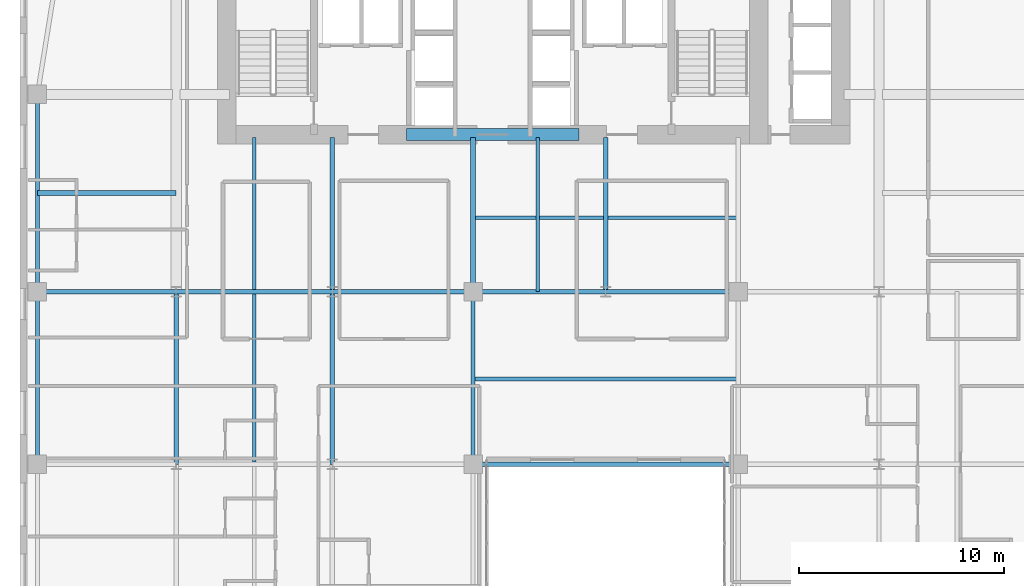
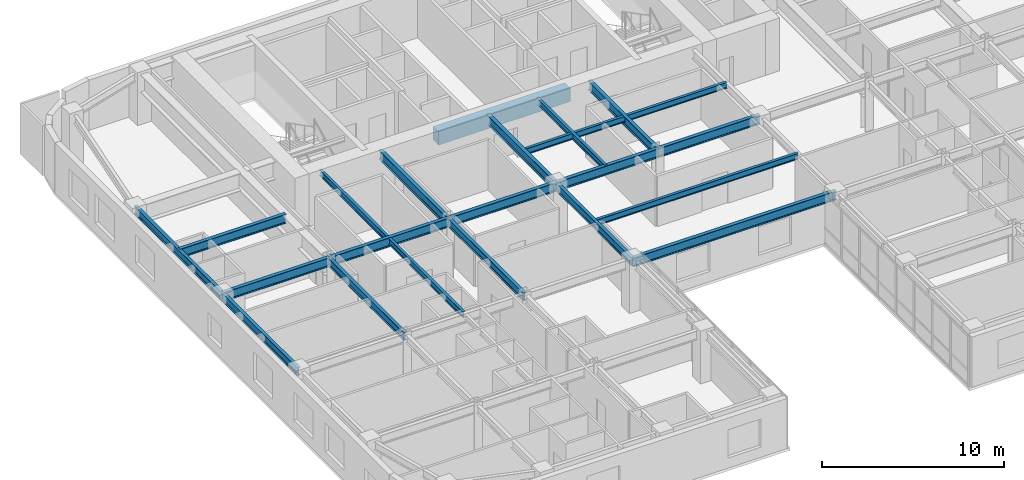
# One storey, part 4 of 16: 21 beams.
"""IFC4 building model written with IfcOpenShell, lengths in metres."""

from ifc_helpers import new_model, si_unit, direction, frame, origin, origin_2d, place, context, subcontext, project, spatial, rectangle, i_section, extrude, source, transform, mapped, material, material_profile, profile_set, type_object, type_shapes, element, save


model = new_model("IFC4")

# Units and contexts
model_context = context("Model", 3, precision=1e-05, world=origin(), true_north=direction((0.0, 1.0)))
body_context = subcontext(model_context, "Body", "Model", "MODEL_VIEW")
ifc_project = project(units=[si_unit("LENGTHUNIT", "METRE"), si_unit("AREAUNIT", "SQUARE_METRE"), si_unit("VOLUMEUNIT", "CUBIC_METRE"), si_unit("PLANEANGLEUNIT", "RADIAN"), si_unit("MASSUNIT", "GRAM", prefix="KILO")], contexts=[model_context])

# Site, building, storey
site_placement = place(None, origin())
site = spatial("IfcSite", under=ifc_project, at=site_placement, CompositionType="ELEMENT")
building_placement = place(site_placement, origin())
building = spatial("IfcBuilding", under=site, at=building_placement, Name="Tolvann Quenvar Hotel", CompositionType="ELEMENT")
storey_placement = place(building_placement, frame((0.0, 0.0, 85.25)))
storey = spatial("IfcBuildingStorey", under=building, at=storey_placement, Name="L21", CompositionType="ELEMENT", Elevation=85.25)

# Beams
ifc_material_1 = material(Name="Concrete N50 (50 MPa)", Category="concrete")
ifc_material_profile_1 = material_profile(ifc_material_1, rectangle(XDim=0.60009765625, YDim=0.89990234375, at=origin_2d()), Name="RC600x900")
ifc_profile_set_1 = profile_set([ifc_material_profile_1], Name="Concrete N50 (50 MPa)")
beam_type_1 = type_object("IfcBeamType", Name="BM_LINT_RC600x900", PredefinedType="LINTEL", material=ifc_profile_set_1)
shared_shape_1 = source(origin(), body_context, "Body", "SweptSolid", [
    extrude(rectangle(XDim=0.60009765625, YDim=0.89990234375, at=origin_2d()), origin(), (0.0, 0.0, 1.0), 8.39990234375),
])
type_shapes(beam_type_1, [shared_shape_1])
beam_1_placement = place(storey_placement, frame((18.800048828125, 32.050048828125, 2.919921875), z_axis=(1.0, 0.0, 0.0), x_axis=(0.0, 1.0, 0.0)))
element("IfcBeam", 1, at=beam_1_placement, inside=storey, type_object=beam_type_1, Name="Core Coupling Lintel Beam (L21)", PredefinedType="LINTEL", context=body_context, shape_type="MappedRepresentation", body=[
    mapped(shared_shape_1, transform((0.0, 0.0, 0.0), x_axis=(1.0, 0.0, 0.0), y_axis=(0.0, 1.0, 0.0), z_axis=(0.0, 0.0, 1.0), scale=1.0)),
])
ifc_material_2 = material(Name="Steel Grade 350", Category="steel")
ifc_material_profile_2 = material_profile(ifc_material_2, i_section(OverallWidth=0.22900390625, OverallDepth=0.612060546875, WebThickness=0.011962890625, FlangeThickness=0.01953125, FilletRadius=0.013916015625, at=origin_2d()), Name="610UB125")
ifc_profile_set_2 = profile_set([ifc_material_profile_2], Name="Steel Grade 350")
beam_type_2 = type_object("IfcBeamType", Name="BM_GIRD_610UB125", PredefinedType="BEAM", material=ifc_profile_set_2)
shared_shape_2 = source(origin(), body_context, "Body", "SweptSolid", [
    extrude(i_section(OverallWidth=0.22900390625, OverallDepth=0.612060546875, WebThickness=0.011962890625, FlangeThickness=0.01953125, FilletRadius=0.013916015625, at=origin_2d()), origin(), (0.0, 0.0, 1.0), 6.75),
])
for number, where, z_axis, x_axis, name in (
    (2, (0.85009765625, 24.39990234375, 3.06396484375), (1.0, 0.0, 0.0), (0.0, 1.0, 0.0), "BM-L21-EW-5-B5-C5"),
    (3, (0.85009765625, 29.199951171875, 3.06396484375), (1.0, 0.0, 0.0), (0.0, 1.0, 0.0), "BM-L21-EW-BC29"),
):
    element("IfcBeam", number, at=place(storey_placement, frame(where, z_axis=z_axis, x_axis=x_axis)), inside=storey, type_object=beam_type_2, Name=name, PredefinedType="BEAM", context=body_context, shape_type="MappedRepresentation", body=[
        mapped(shared_shape_2, transform((0.0, 0.0, 0.0), x_axis=(1.0, 0.0, 0.0), y_axis=(0.0, 1.0, 0.0), z_axis=(0.0, 0.0, 1.0), scale=1.0)),
    ])
shared_shape_3 = source(origin(), body_context, "Body", "SweptSolid", [
    extrude(i_section(OverallWidth=0.22900390625, OverallDepth=0.612060546875, WebThickness=0.011962890625, FlangeThickness=0.01953125, FilletRadius=0.013916015625, at=origin_2d()), origin(), (0.0, 0.0, 1.0), 7.599853515625),
])
beam_2_placement = place(storey_placement, frame((7.60009765625, 24.39990234375, 3.06396484375), z_axis=(1.0, 0.0, 0.0), x_axis=(0.0, 1.0, 0.0)))
element("IfcBeam", 4, at=beam_2_placement, inside=storey, type_object=beam_type_2, Name="BM-L21-EW-5-C5-D5", PredefinedType="BEAM", context=body_context, shape_type="MappedRepresentation", body=[
    mapped(shared_shape_3, transform((0.0, 0.0, 0.0), x_axis=(1.0, 0.0, 0.0), y_axis=(0.0, 1.0, 0.0), z_axis=(0.0, 0.0, 1.0), scale=1.0)),
])
shared_shape_4 = source(origin(), body_context, "Body", "SweptSolid", [
    extrude(i_section(OverallWidth=0.22900390625, OverallDepth=0.612060546875, WebThickness=0.011962890625, FlangeThickness=0.01953125, FilletRadius=0.013916015625, at=origin_2d()), origin(), (0.0, 0.0, 1.0), 6.85009765625),
])
beam_3_placement = place(storey_placement, frame((15.199951171875, 24.39990234375, 3.06396484375), z_axis=(1.0, 0.0, 0.0), x_axis=(0.0, 1.0, 0.0)))
element("IfcBeam", 5, at=beam_3_placement, inside=storey, type_object=beam_type_2, Name="BM-L21-EW-5-D5-E5", PredefinedType="BEAM", context=body_context, shape_type="MappedRepresentation", body=[
    mapped(shared_shape_4, transform((0.0, 0.0, 0.0), x_axis=(1.0, 0.0, 0.0), y_axis=(0.0, 1.0, 0.0), z_axis=(0.0, 0.0, 1.0), scale=1.0)),
])
shared_shape_5 = source(origin(), body_context, "Body", "SweptSolid", [
    extrude(i_section(OverallWidth=0.22900390625, OverallDepth=0.612060546875, WebThickness=0.011962890625, FlangeThickness=0.01953125, FilletRadius=0.013916015625, at=origin_2d()), origin(), (0.0, 0.0, 1.0), 12.89990234375),
])
beam_4_placement = place(storey_placement, frame((22.050048828125, 16.0, 3.06396484375), z_axis=(1.0, 0.0, 0.0), x_axis=(0.0, 1.0, 0.0)))
element("IfcBeam", 6, at=beam_4_placement, inside=storey, type_object=beam_type_2, Name="BM-L21-EW-4-E4-F4", PredefinedType="BEAM", context=body_context, shape_type="MappedRepresentation", body=[
    mapped(shared_shape_5, transform((0.0, 0.0, 0.0), x_axis=(1.0, 0.0, 0.0), y_axis=(0.0, 1.0, 0.0), z_axis=(0.0, 0.0, 1.0), scale=1.0)),
])
shared_shape_6 = source(origin(), body_context, "Body", "SweptSolid", [
    extrude(i_section(OverallWidth=0.22900390625, OverallDepth=0.612060546875, WebThickness=0.011962890625, FlangeThickness=0.01953125, FilletRadius=0.013916015625, at=origin_2d()), origin(), (0.0, 0.0, 1.0), 6.449951171875),
])
for number, where, z_axis, x_axis, name in (
    (7, (22.050048828125, 24.39990234375, 3.06396484375), (1.0, 0.0, 0.0), (0.0, 1.0, 0.0), "BM-L21-EW-5-E5-M5"),
    (8, (28.5, 24.39990234375, 3.06396484375), (1.0, 0.0, 0.0), (0.0, 1.0, 0.0), "BM-L21-EW-5-M5-F5"),
):
    element("IfcBeam", number, at=place(storey_placement, frame(where, z_axis=z_axis, x_axis=x_axis)), inside=storey, type_object=beam_type_2, Name=name, PredefinedType="BEAM", context=body_context, shape_type="MappedRepresentation", body=[
        mapped(shared_shape_6, transform((0.0, 0.0, 0.0), x_axis=(1.0, 0.0, 0.0), y_axis=(0.0, 1.0, 0.0), z_axis=(0.0, 0.0, 1.0), scale=1.0)),
    ])
ifc_material_profile_3 = material_profile(ifc_material_2, i_section(OverallWidth=0.208984375, OverallDepth=0.528076171875, WebThickness=0.009521484375, FlangeThickness=0.01318359375, FilletRadius=0.013916015625, at=origin_2d()), Name="530UB82")
ifc_profile_set_3 = profile_set([ifc_material_profile_3], Name="Steel Grade 350")
beam_type_3 = type_object("IfcBeamType", Name="BM_SPAND_530UB82", PredefinedType="SPANDREL", material=ifc_profile_set_3)
shared_shape_7 = source(origin(), body_context, "Body", "SweptSolid", [
    extrude(i_section(OverallWidth=0.208984375, OverallDepth=0.528076171875, WebThickness=0.009521484375, FlangeThickness=0.01318359375, FilletRadius=0.013916015625, at=origin_2d()), origin(), (0.0, 0.0, 1.0), 8.39990234375),
])
beam_5_placement = place(storey_placement, frame((0.85009765625, 16.0, 3.10595703125), z_axis=(0.0, 1.0, 0.0), x_axis=(-1.0, 0.0, 0.0)))
element("IfcBeam", 9, at=beam_5_placement, inside=storey, type_object=beam_type_3, Name="BM-L21-NS-B4-B5", PredefinedType="SPANDREL", context=body_context, shape_type="MappedRepresentation", body=[
    mapped(shared_shape_7, transform((0.0, 0.0, 0.0), x_axis=(1.0, 0.0, 0.0), y_axis=(0.0, 1.0, 0.0), z_axis=(0.0, 0.0, 1.0), scale=1.0)),
])
ifc_material_profile_4 = material_profile(ifc_material_2, i_section(OverallWidth=0.208984375, OverallDepth=0.532958984375, WebThickness=0.01025390625, FlangeThickness=0.015625, FilletRadius=0.013916015625, at=origin_2d()), Name="530UB92")
ifc_profile_set_4 = profile_set([ifc_material_profile_4], Name="Steel Grade 350")
beam_type_4 = type_object("IfcBeamType", Name="BM_GIRD_530UB92", PredefinedType="BEAM", material=ifc_profile_set_4)
shared_shape_8 = source(origin(), body_context, "Body", "SweptSolid", [
    extrude(i_section(OverallWidth=0.208984375, OverallDepth=0.532958984375, WebThickness=0.01025390625, FlangeThickness=0.015625, FilletRadius=0.013916015625, at=origin_2d()), origin(), (0.0, 0.0, 1.0), 8.39990234375),
])
type_shapes(beam_type_4, [shared_shape_8])
for number, where, z_axis, x_axis, name in (
    (10, (7.60009765625, 16.0, 3.103515625), (0.0, 1.0, 0.0), (-1.0, 0.0, 0.0), "BM-L21-NS-C4-C5"),
    (11, (15.199951171875, 16.0, 3.103515625), (0.0, 1.0, 0.0), (-1.0, 0.0, 0.0), "BM-L21-NS-D4-D5"),
    (12, (22.050048828125, 16.0, 3.103515625), (0.0, 1.0, 0.0), (-1.0, 0.0, 0.0), "BM-L21-NS-E4-E5"),
):
    element("IfcBeam", number, at=place(storey_placement, frame(where, z_axis=z_axis, x_axis=x_axis)), inside=storey, type_object=beam_type_4, Name=name, PredefinedType="BEAM", context=body_context, shape_type="MappedRepresentation", body=[
        mapped(shared_shape_8, transform((0.0, 0.0, 0.0), x_axis=(1.0, 0.0, 0.0), y_axis=(0.0, 1.0, 0.0), z_axis=(0.0, 0.0, 1.0), scale=1.0)),
    ])
shared_shape_9 = source(origin(), body_context, "Body", "SweptSolid", [
    extrude(i_section(OverallWidth=0.22900390625, OverallDepth=0.612060546875, WebThickness=0.011962890625, FlangeThickness=0.01953125, FilletRadius=0.013916015625, at=origin_2d()), origin(), (0.0, 0.0, 1.0), 7.5),
])
type_shapes(beam_type_2, [shared_shape_2, shared_shape_3, shared_shape_4, shared_shape_5, shared_shape_6, shared_shape_9])
for number, where, z_axis, x_axis, name in (
    (13, (15.199951171875, 24.39990234375, 3.06396484375), (0.0, 1.0, 0.0), (-1.0, 0.0, 0.0), "BM-L21-CORE-D5"),
    (14, (22.050048828125, 24.39990234375, 3.06396484375), (0.0, 1.0, 0.0), (-1.0, 0.0, 0.0), "BM-L21-CORE-E5"),
    (15, (28.5, 24.39990234375, 3.06396484375), (0.0, 1.0, 0.0), (-1.0, 0.0, 0.0), "BM-L21-CORE-M5"),
):
    element("IfcBeam", number, at=place(storey_placement, frame(where, z_axis=z_axis, x_axis=x_axis)), inside=storey, type_object=beam_type_2, Name=name, PredefinedType="BEAM", context=body_context, shape_type="MappedRepresentation", body=[
        mapped(shared_shape_9, transform((0.0, 0.0, 0.0), x_axis=(1.0, 0.0, 0.0), y_axis=(0.0, 1.0, 0.0), z_axis=(0.0, 0.0, 1.0), scale=1.0)),
    ])
shared_shape_10 = source(origin(), body_context, "Body", "SweptSolid", [
    extrude(i_section(OverallWidth=0.208984375, OverallDepth=0.528076171875, WebThickness=0.009521484375, FlangeThickness=0.01318359375, FilletRadius=0.013916015625, at=origin_2d()), origin(), (0.0, 0.0, 1.0), 9.60009765625),
])
type_shapes(beam_type_3, [shared_shape_7, shared_shape_10])
beam_6_placement = place(storey_placement, frame((0.85009765625, 24.39990234375, 3.10595703125), z_axis=(0.0, 1.0, 0.0), x_axis=(-1.0, 0.0, 0.0)))
element("IfcBeam", 16, at=beam_6_placement, inside=storey, type_object=beam_type_3, Name="BM-L21-FLK-W1", PredefinedType="SPANDREL", context=body_context, shape_type="MappedRepresentation", body=[
    mapped(shared_shape_10, transform((0.0, 0.0, 0.0), x_axis=(1.0, 0.0, 0.0), y_axis=(0.0, 1.0, 0.0), z_axis=(0.0, 0.0, 1.0), scale=1.0)),
])
ifc_material_profile_5 = material_profile(ifc_material_2, i_section(OverallWidth=0.177978515625, OverallDepth=0.406005859375, WebThickness=0.0078125, FlangeThickness=0.0126953125, FilletRadius=0.011474609375, at=origin_2d()), Name="410UB60")
ifc_profile_set_5 = profile_set([ifc_material_profile_5], Name="Steel Grade 350")
beam_type_5 = type_object("IfcBeamType", Name="BM_JOIST_410UB60", PredefinedType="JOIST", material=ifc_profile_set_5)
shared_shape_11 = source(origin(), body_context, "Body", "SweptSolid", [
    extrude(i_section(OverallWidth=0.177978515625, OverallDepth=0.406005859375, WebThickness=0.0078125, FlangeThickness=0.0126953125, FilletRadius=0.011474609375, at=origin_2d()), origin(), (0.0, 0.0, 1.0), 12.89990234375),
])
for number, where, z_axis, x_axis, name in (
    (17, (22.050048828125, 20.14990234375, 3.1669921875), (1.0, 0.0, 0.0), (0.0, 1.0, 0.0), "BM-L21-SPINE-20"),
    (18, (22.050048828125, 28.0, 3.1669921875), (1.0, 0.0, 0.0), (0.0, 1.0, 0.0), "BM-L21-SPINE-28"),
):
    element("IfcBeam", number, at=place(storey_placement, frame(where, z_axis=z_axis, x_axis=x_axis)), inside=storey, type_object=beam_type_5, Name=name, PredefinedType="JOIST", context=body_context, shape_type="MappedRepresentation", body=[
        mapped(shared_shape_11, transform((0.0, 0.0, 0.0), x_axis=(1.0, 0.0, 0.0), y_axis=(0.0, 1.0, 0.0), z_axis=(0.0, 0.0, 1.0), scale=1.0)),
    ])
shared_shape_12 = source(origin(), body_context, "Body", "SweptSolid", [
    extrude(i_section(OverallWidth=0.177978515625, OverallDepth=0.406005859375, WebThickness=0.0078125, FlangeThickness=0.0126953125, FilletRadius=0.011474609375, at=origin_2d()), origin(), (0.0, 0.0, 1.0), 8.18310546875),
])
beam_7_placement = place(storey_placement, frame((11.39990234375, 16.1083984375, 3.1669921875), z_axis=(0.0, 1.0, 0.0), x_axis=(-1.0, 0.0, 0.0)))
element("IfcBeam", 19, at=beam_7_placement, inside=storey, type_object=beam_type_5, Name="BJ-L21-114-160", PredefinedType="JOIST", context=body_context, shape_type="MappedRepresentation", body=[
    mapped(shared_shape_12, transform((0.0, 0.0, 0.0), x_axis=(1.0, 0.0, 0.0), y_axis=(0.0, 1.0, 0.0), z_axis=(0.0, 0.0, 1.0), scale=1.0)),
])
shared_shape_13 = source(origin(), body_context, "Body", "SweptSolid", [
    extrude(i_section(OverallWidth=0.177978515625, OverallDepth=0.406005859375, WebThickness=0.0078125, FlangeThickness=0.0126953125, FilletRadius=0.011474609375, at=origin_2d()), origin(), (0.0, 0.0, 1.0), 7.391357421875),
])
beam_8_placement = place(storey_placement, frame((11.39990234375, 24.508544921875, 3.1669921875), z_axis=(0.0, 1.0, 0.0), x_axis=(-1.0, 0.0, 0.0)))
element("IfcBeam", 20, at=beam_8_placement, inside=storey, type_object=beam_type_5, Name="BJ-L21-114-244", PredefinedType="JOIST", context=body_context, shape_type="MappedRepresentation", body=[
    mapped(shared_shape_13, transform((0.0, 0.0, 0.0), x_axis=(1.0, 0.0, 0.0), y_axis=(0.0, 1.0, 0.0), z_axis=(0.0, 0.0, 1.0), scale=1.0)),
])
shared_shape_14 = source(origin(), body_context, "Body", "SweptSolid", [
    extrude(i_section(OverallWidth=0.177978515625, OverallDepth=0.406005859375, WebThickness=0.0078125, FlangeThickness=0.0126953125, FilletRadius=0.011474609375, at=origin_2d()), origin(), (0.0, 0.0, 1.0), 7.5),
])
type_shapes(beam_type_5, [shared_shape_11, shared_shape_12, shared_shape_13, shared_shape_14])
beam_9_placement = place(storey_placement, frame((25.199951171875, 24.39990234375, 3.1669921875), z_axis=(0.0, 1.0, 0.0), x_axis=(-1.0, 0.0, 0.0)))
element("IfcBeam", 21, at=beam_9_placement, inside=storey, type_object=beam_type_5, Name="BJ-L21-252-244", PredefinedType="JOIST", context=body_context, shape_type="MappedRepresentation", body=[
    mapped(shared_shape_14, transform((0.0, 0.0, 0.0), x_axis=(1.0, 0.0, 0.0), y_axis=(0.0, 1.0, 0.0), z_axis=(0.0, 0.0, 1.0), scale=1.0)),
])

save(model, "model.ifc")
